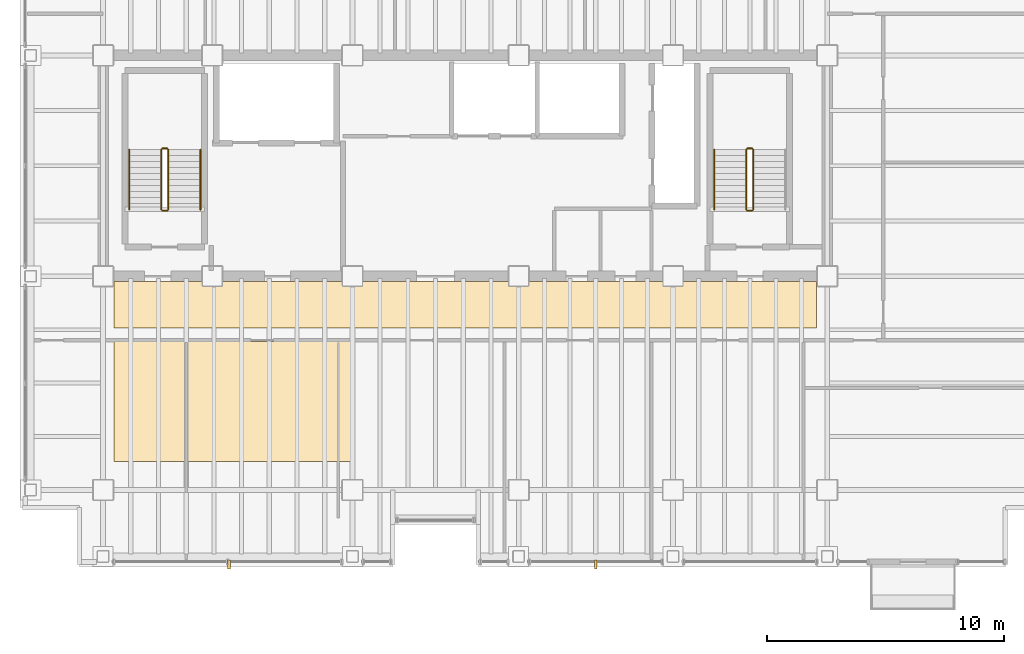
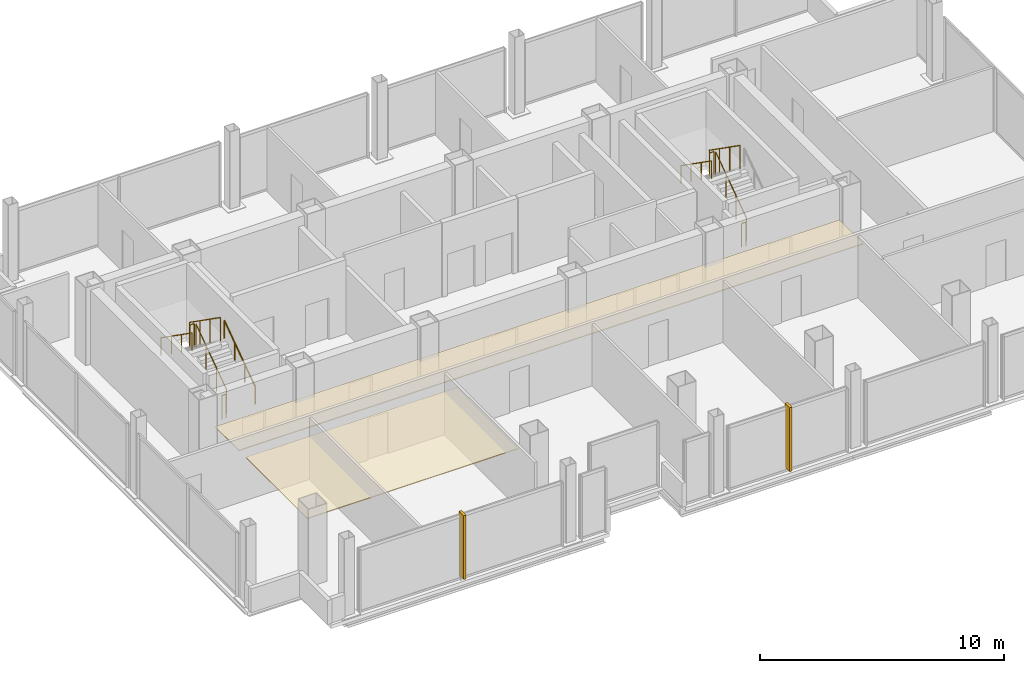
# One storey, part 15 of 16: 11 railings, 2 coverings, 2 shading devices.
"""IFC4 building model written with IfcOpenShell, lengths in metres."""

from ifc_helpers import new_model, si_unit, direction, frame, origin, origin_2d, place, context, subcontext, project, spatial, polyline, rectangle, circle, outline, extrude, material, layer, layer_set, type_object, element, save


model = new_model("IFC4")

# Units and contexts
model_context = context("Model", 3, precision=1e-05, world=origin(), true_north=direction((0.0, 1.0)))
body_context = subcontext(model_context, "Body", "Model", "MODEL_VIEW")
ifc_project = project(units=[si_unit("LENGTHUNIT", "METRE"), si_unit("AREAUNIT", "SQUARE_METRE"), si_unit("VOLUMEUNIT", "CUBIC_METRE"), si_unit("PLANEANGLEUNIT", "RADIAN"), si_unit("MASSUNIT", "GRAM", prefix="KILO")], contexts=[model_context])

# Site, building, storey
site_placement = place(None, origin())
site = spatial("IfcSite", under=ifc_project, at=site_placement, CompositionType="ELEMENT")
building_placement = place(site_placement, origin())
building = spatial("IfcBuilding", under=site, at=building_placement, Name="Noeulbin Bourse Tower", CompositionType="ELEMENT")
storey_placement = place(building_placement, frame((0.0, 0.0, 181.199951171875)))
storey = spatial("IfcBuildingStorey", under=building, at=storey_placement, Name="L45", CompositionType="ELEMENT", Elevation=181.199951171875)

# Coverings
ifc_material_1 = material(Name="Perforated Mineral-Fibre Acoustic Tile")
ifc_layer_1 = layer(ifc_material_1, 0.0400390625)
ifc_layer_set_1 = layer_set([ifc_layer_1], Name="Perforated Mineral-Fibre Acoustic Tile")
covering_type = type_object("IfcCoveringType", Name="COV-CEIL-ACT", PredefinedType="CEILING", material=ifc_layer_set_1)
covering_1_placement = place(storey_placement, frame((0.0, 0.0, 2.110107421875)))
element("IfcCovering", 1, at=covering_1_placement, inside=storey, type_object=covering_type, Name="Corridor Suspended Ceiling L45", PredefinedType="CEILING", context=body_context, shape_type="SweptSolid", body=[
    extrude(outline(polyline([(13.949951171875, 26.820068359375), (43.550048828125, 26.820068359375), (43.550048828125, 28.780029296875), (13.949951171875, 28.780029296875), (13.949951171875, 26.820068359375)])), origin(), (0.0, 0.0, 1.0), 0.0400390625),
])
covering_2_placement = place(storey_placement, frame((0.0, 0.0, 2.110107421875)))
element("IfcCovering", 2, at=covering_2_placement, inside=storey, type_object=covering_type, Name="Trading Suite Acoustic Ceiling L45", PredefinedType="CEILING", context=body_context, shape_type="SweptSolid", body=[
    extrude(outline(polyline([(13.949951171875, 21.199951171875), (23.949951171875, 21.199951171875), (23.949951171875, 26.25), (13.949951171875, 26.25), (13.949951171875, 21.199951171875)])), origin(), (0.0, 0.0, 1.0), 0.0400390625),
])

# Railings
ifc_material_2 = material(Name="Painted Tubular Steel S355", Category="steel")
ifc_layer_2 = layer(ifc_material_2, 0.048095703125)
ifc_layer_set_2 = layer_set([ifc_layer_2], Name="Painted Tubular Steel S355")
railing_type_1 = type_object("IfcRailingType", Name="RLG-STR-GRD", PredefinedType="GUARDRAIL", material=ifc_layer_set_2)
railing_1_placement = place(storey_placement, frame((16.25, 31.81005859375, 0.17724609375)))
element("IfcRailing", 3, at=railing_1_placement, inside=storey, type_object=railing_type_1, Name="L45 ST-1 stair guard 1", PredefinedType="GUARDRAIL", context=body_context, shape_type="SweptSolid", body=[
    extrude(circle(Radius=0.02392578125, at=origin_2d()), frame((0.0, 0.0, 1.17578125), z_axis=(0.0, 0.817904474719, 0.575354039036), x_axis=(-1.0, 0.0, 0.0)), (0.0, 0.0, 1.0), 3.0810546875),
    extrude(circle(Radius=0.02099609375, at=origin_2d()), origin(), (0.0, 0.0, 1.0), 1.15185546875),
    extrude(circle(Radius=0.02099609375, at=origin_2d()), frame((0.0, 0.840087890625, 0.5908203125)), (0.0, 0.0, 1.0), 1.15185546875),
    extrude(circle(Radius=0.02099609375, at=origin_2d()), frame((0.0, 1.679931640625, 1.181884765625)), (0.0, 0.0, 1.0), 1.15185546875),
    extrude(circle(Radius=0.02099609375, at=origin_2d()), frame((0.0, 2.52001953125, 1.772705078125)), (0.0, 0.0, 1.0), 1.15185546875),
])
railing_2_placement = place(storey_placement, frame((16.199951171875, 34.3798828125, 1.949951171875)))
element("IfcRailing", 4, at=railing_2_placement, inside=storey, type_object=railing_type_1, Name="L45 ST-1 stair guard 2", PredefinedType="GUARDRAIL", context=body_context, shape_type="SweptSolid", body=[
    extrude(circle(Radius=0.02392578125, at=origin_2d()), frame((0.0, 0.0, 1.17578125), z_axis=(-1.0, 0.0, 0.0), x_axis=(0.0, -1.0, 0.0)), (0.0, 0.0, 1.0), 0.199951171875),
    extrude(circle(Radius=0.02099609375, at=origin_2d()), origin(), (0.0, 0.0, 1.0), 1.15185546875),
    extrude(circle(Radius=0.02099609375, at=origin_2d()), frame((-0.199951171875, 0.0, 0.0)), (0.0, 0.0, 1.0), 1.15185546875),
])
railing_3_placement = place(storey_placement, frame((15.949951171875, 34.330078125, 2.12744140625)))
element("IfcRailing", 5, at=railing_3_placement, inside=storey, type_object=railing_type_1, Name="L45 ST-1 stair guard 3", PredefinedType="GUARDRAIL", context=body_context, shape_type="SweptSolid", body=[
    extrude(circle(Radius=0.02392578125, at=origin_2d()), frame((0.0, 0.0, 1.17578125), z_axis=(0.0, -0.817904474719, 0.575354039036), x_axis=(1.0, 0.0, 0.0)), (0.0, 0.0, 1.0), 3.0810546875),
    extrude(circle(Radius=0.02099609375, at=origin_2d()), origin(), (0.0, 0.0, 1.0), 1.15185546875),
    extrude(circle(Radius=0.02099609375, at=origin_2d()), frame((0.0, -0.840087890625, 0.5908203125)), (0.0, 0.0, 1.0), 1.15185546875),
    extrude(circle(Radius=0.02099609375, at=origin_2d()), frame((0.0, -1.679931640625, 1.181884765625)), (0.0, 0.0, 1.0), 1.15185546875),
    extrude(circle(Radius=0.02099609375, at=origin_2d()), frame((0.0, -2.52001953125, 1.772705078125)), (0.0, 0.0, 1.0), 1.15185546875),
])
railing_4_placement = place(storey_placement, frame((16.199951171875, 31.760009765625, 0.0)))
element("IfcRailing", 6, at=railing_4_placement, inside=storey, type_object=railing_type_1, Name="L45 ST-1 stair guard 4", PredefinedType="GUARDRAIL", context=body_context, shape_type="SweptSolid", body=[
    extrude(circle(Radius=0.02392578125, at=origin_2d()), frame((0.0, 0.0, 1.17578125), z_axis=(-1.0, 0.0, 0.0), x_axis=(0.0, -1.0, 0.0)), (0.0, 0.0, 1.0), 0.199951171875),
    extrude(circle(Radius=0.02099609375, at=origin_2d()), origin(), (0.0, 0.0, 1.0), 1.15185546875),
    extrude(circle(Radius=0.02099609375, at=origin_2d()), frame((-0.199951171875, 0.0, 0.0)), (0.0, 0.0, 1.0), 1.15185546875),
])
railing_5_placement = place(storey_placement, frame((40.8798828125, 31.81005859375, 0.17724609375)))
element("IfcRailing", 7, at=railing_5_placement, inside=storey, type_object=railing_type_1, Name="L45 ST-2 stair guard 1", PredefinedType="GUARDRAIL", context=body_context, shape_type="SweptSolid", body=[
    extrude(circle(Radius=0.02392578125, at=origin_2d()), frame((0.0, 0.0, 1.17578125), z_axis=(0.0, 0.817904474719, 0.575354039036), x_axis=(-1.0, 0.0, 0.0)), (0.0, 0.0, 1.0), 3.0810546875),
    extrude(circle(Radius=0.02099609375, at=origin_2d()), origin(), (0.0, 0.0, 1.0), 1.15185546875),
    extrude(circle(Radius=0.02099609375, at=origin_2d()), frame((0.0, 0.840087890625, 0.5908203125)), (0.0, 0.0, 1.0), 1.15185546875),
    extrude(circle(Radius=0.02099609375, at=origin_2d()), frame((0.0, 1.679931640625, 1.181884765625)), (0.0, 0.0, 1.0), 1.15185546875),
    extrude(circle(Radius=0.02099609375, at=origin_2d()), frame((0.0, 2.52001953125, 1.772705078125)), (0.0, 0.0, 1.0), 1.15185546875),
])
railing_6_placement = place(storey_placement, frame((40.830078125, 34.3798828125, 1.949951171875)))
element("IfcRailing", 8, at=railing_6_placement, inside=storey, type_object=railing_type_1, Name="L45 ST-2 stair guard 2", PredefinedType="GUARDRAIL", context=body_context, shape_type="SweptSolid", body=[
    extrude(circle(Radius=0.02392578125, at=origin_2d()), frame((0.0, 0.0, 1.17578125), z_axis=(-1.0, 0.0, 0.0), x_axis=(0.0, -1.0, 0.0)), (0.0, 0.0, 1.0), 0.2001953125),
    extrude(circle(Radius=0.02099609375, at=origin_2d()), origin(), (0.0, 0.0, 1.0), 1.15185546875),
    extrude(circle(Radius=0.02099609375, at=origin_2d()), frame((-0.2001953125, 0.0, 0.0)), (0.0, 0.0, 1.0), 1.15185546875),
])
railing_7_placement = place(storey_placement, frame((40.580078125, 34.330078125, 2.12744140625)))
element("IfcRailing", 9, at=railing_7_placement, inside=storey, type_object=railing_type_1, Name="L45 ST-2 stair guard 3", PredefinedType="GUARDRAIL", context=body_context, shape_type="SweptSolid", body=[
    extrude(circle(Radius=0.02392578125, at=origin_2d()), frame((0.0, 0.0, 1.17578125), z_axis=(0.0, -0.817904474719, 0.575354039036), x_axis=(1.0, 0.0, 0.0)), (0.0, 0.0, 1.0), 3.0810546875),
    extrude(circle(Radius=0.02099609375, at=origin_2d()), origin(), (0.0, 0.0, 1.0), 1.15185546875),
    extrude(circle(Radius=0.02099609375, at=origin_2d()), frame((0.0, -0.840087890625, 0.5908203125)), (0.0, 0.0, 1.0), 1.15185546875),
    extrude(circle(Radius=0.02099609375, at=origin_2d()), frame((0.0, -1.679931640625, 1.181884765625)), (0.0, 0.0, 1.0), 1.15185546875),
    extrude(circle(Radius=0.02099609375, at=origin_2d()), frame((0.0, -2.52001953125, 1.772705078125)), (0.0, 0.0, 1.0), 1.15185546875),
])
railing_8_placement = place(storey_placement, frame((40.830078125, 31.760009765625, 0.0)))
element("IfcRailing", 10, at=railing_8_placement, inside=storey, type_object=railing_type_1, Name="L45 ST-2 stair guard 4", PredefinedType="GUARDRAIL", context=body_context, shape_type="SweptSolid", body=[
    extrude(circle(Radius=0.02392578125, at=origin_2d()), frame((0.0, 0.0, 1.17578125), z_axis=(-1.0, 0.0, 0.0), x_axis=(0.0, -1.0, 0.0)), (0.0, 0.0, 1.0), 0.2001953125),
    extrude(circle(Radius=0.02099609375, at=origin_2d()), origin(), (0.0, 0.0, 1.0), 1.15185546875),
    extrude(circle(Radius=0.02099609375, at=origin_2d()), frame((-0.2001953125, 0.0, 0.0)), (0.0, 0.0, 1.0), 1.15185546875),
])
ifc_material_3 = material(Name="Brushed Stainless Steel 316", Category="steel")
ifc_layer_3 = layer(ifc_material_3, 0.048095703125)
ifc_layer_set_3 = layer_set([ifc_layer_3], Name="Brushed Stainless Steel 316")
railing_type_2 = type_object("IfcRailingType", Name="RLG-STR-HND", PredefinedType="HANDRAIL", material=ifc_layer_set_3)
railing_9_placement = place(storey_placement, frame((17.60009765625, 31.81005859375, 0.17724609375)))
element("IfcRailing", 11, at=railing_9_placement, inside=storey, type_object=railing_type_2, Name="L45 ST-1 stair handrail 1", PredefinedType="HANDRAIL", context=body_context, shape_type="SweptSolid", body=[
    extrude(circle(Radius=0.02392578125, at=origin_2d()), frame((0.0, 0.0, 0.8759765625), z_axis=(0.0, 0.817904474719, 0.575354039036), x_axis=(-1.0, 0.0, 0.0)), (0.0, 0.0, 1.0), 3.0810546875),
    extrude(circle(Radius=0.02099609375, at=origin_2d()), origin(), (0.0, 0.0, 1.0), 0.851806640625),
    extrude(circle(Radius=0.02099609375, at=origin_2d()), frame((0.0, 0.840087890625, 0.5908203125)), (0.0, 0.0, 1.0), 0.851806640625),
    extrude(circle(Radius=0.02099609375, at=origin_2d()), frame((0.0, 1.679931640625, 1.181884765625)), (0.0, 0.0, 1.0), 0.851806640625),
    extrude(circle(Radius=0.02099609375, at=origin_2d()), frame((0.0, 2.52001953125, 1.772705078125)), (0.0, 0.0, 1.0), 0.851806640625),
])
for number, where, name in (
    (12, (14.60009765625, 34.330078125, 2.12744140625), "L45 ST-1 stair handrail 2"),
    (13, (39.22998046875, 34.330078125, 2.12744140625), "L45 ST-2 stair handrail 2"),
):
    element("IfcRailing", number, at=place(storey_placement, frame(where)), inside=storey, type_object=railing_type_2, Name=name, PredefinedType="HANDRAIL", context=body_context, shape_type="SweptSolid", body=[
        extrude(circle(Radius=0.02392578125, at=origin_2d()), frame((0.0, 0.0, 0.8759765625), z_axis=(0.0, -0.817904474719, 0.575354039036), x_axis=(1.0, 0.0, 0.0)), (0.0, 0.0, 1.0), 3.0810546875),
        extrude(circle(Radius=0.02099609375, at=origin_2d()), origin(), (0.0, 0.0, 1.0), 0.851806640625),
        extrude(circle(Radius=0.02099609375, at=origin_2d()), frame((0.0, -0.840087890625, 0.5908203125)), (0.0, 0.0, 1.0), 0.851806640625),
        extrude(circle(Radius=0.02099609375, at=origin_2d()), frame((0.0, -1.679931640625, 1.181884765625)), (0.0, 0.0, 1.0), 0.851806640625),
        extrude(circle(Radius=0.02099609375, at=origin_2d()), frame((0.0, -2.52001953125, 1.772705078125)), (0.0, 0.0, 1.0), 0.851806640625),
    ])

# Shading devices
ifc_material_4 = material(Name="Anodised Aluminium 6063-T6", Category="aluminium")
ifc_layer_4 = layer(ifc_material_4, 3.199951171875)
ifc_layer_set_4 = layer_set([ifc_layer_4], Name="Anodised Aluminium 6063-T6")
shading_device_type = type_object("IfcShadingDeviceType", Name="SHD-FIN-400", PredefinedType="USERDEFINED", material=ifc_layer_set_4)
for number, where, z_axis, x_axis, name in (
    (14, (18.800048828125, 16.85009765625, 0.14990234375), (0.0, 0.0, 1.0), (1.0, 0.0, 0.0), "Vertical Solar Fin SN-L45-1"),
    (15, (34.25, 16.85009765625, 0.14990234375), (0.0, 0.0, 1.0), (1.0, 0.0, 0.0), "Vertical Solar Fin SN-L45-2"),
):
    element("IfcShadingDevice", number, at=place(storey_placement, frame(where, z_axis=z_axis, x_axis=x_axis)), inside=storey, type_object=shading_device_type, Name=name, ObjectType="SUNSHADE", PredefinedType="USERDEFINED", context=body_context, shape_type="SweptSolid", body=[
        extrude(rectangle(XDim=0.1201171875, YDim=0.3798828125, at=origin_2d()), origin(), (0.0, 0.0, 1.0), 3.199951171875),
    ])

save(model, "model.ifc")
